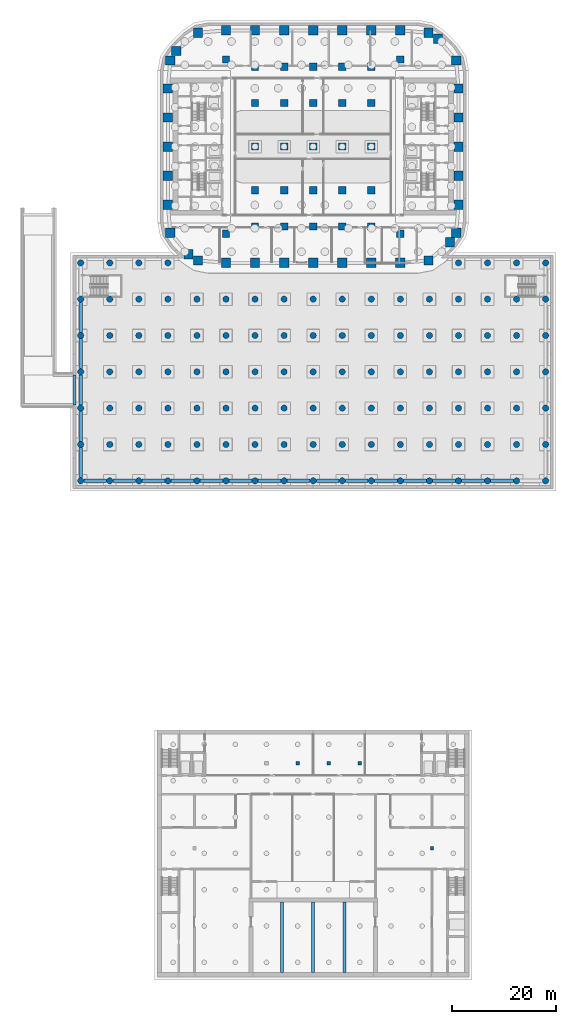
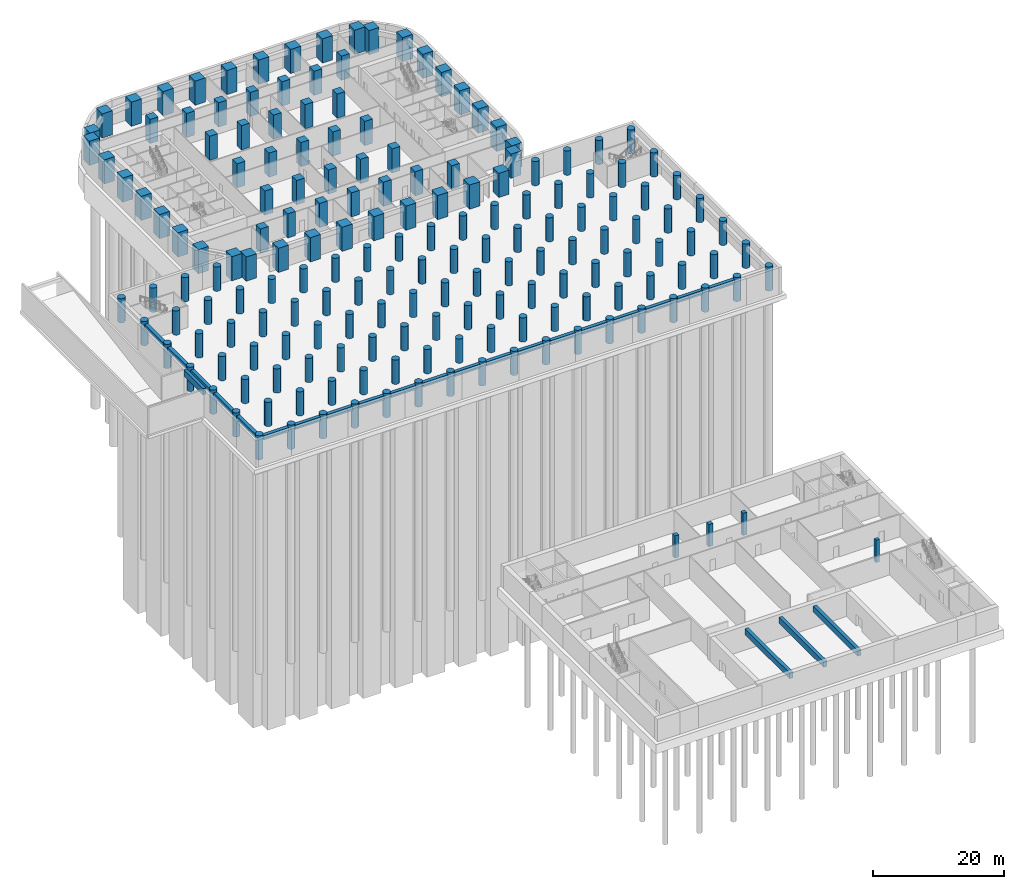
# One storey, part 3 of 23: 179 columns, 24 beams.
"""IFC4 building model written with IfcOpenShell, lengths in metres."""

from ifc_helpers import new_model, si_unit, direction, frame, origin, origin_2d, place, context, subcontext, project, spatial, rectangle, circle, extrude, material, material_profile, profile_set, type_object, element, save


model = new_model("IFC4")

# Units and contexts
model_context = context("Model", 3, precision=1e-05, world=origin(), true_north=direction((0.0, 1.0)))
body_context = subcontext(model_context, "Body", "Model", "MODEL_VIEW")
ifc_project = project(units=[si_unit("LENGTHUNIT", "METRE"), si_unit("AREAUNIT", "SQUARE_METRE"), si_unit("VOLUMEUNIT", "CUBIC_METRE"), si_unit("PLANEANGLEUNIT", "RADIAN"), si_unit("MASSUNIT", "GRAM", prefix="KILO")], contexts=[model_context])

# Site, building, storey
site_placement = place(None, origin())
site = spatial("IfcSite", under=ifc_project, at=site_placement, CompositionType="ELEMENT")
building_placement = place(site_placement, origin())
building = spatial("IfcBuilding", under=site, at=building_placement, Name="Kiln Ring Residences", CompositionType="ELEMENT")
storey_placement = place(building_placement, frame((0.0, 0.0, -4.5)))
storey = spatial("IfcBuildingStorey", under=building, at=storey_placement, Name="B1", CompositionType="ELEMENT", Elevation=-4.5)

# Columns
ifc_material_1 = material(Name="Concrete C80/95", Category="concrete")
ifc_material_profile_1 = material_profile(ifc_material_1, rectangle(XDim=1.39990234375, YDim=1.39990234375, at=origin_2d()), Name="RC1400x1400")
ifc_profile_set_1 = profile_set([ifc_material_profile_1], Name="Concrete C80/95")
column_type_1 = type_object("IfcColumnType", Name="Corridor column RC1400x1400 C80/95", PredefinedType="COLUMN", material=ifc_profile_set_1)
for number, where, z_axis, x_axis, name in (
    (1, (-11.199951171875, 15.39990234375, 0.0), (0.0, 0.0, 1.0), (1.0, 0.0, 0.0), "Corridor column B1 1"),
    (2, (-5.60009765625, 15.39990234375, 0.0), (0.0, 0.0, 1.0), (1.0, 0.0, 0.0), "Corridor column B1 2"),
    (3, (0.0, 15.39990234375, 0.0), (0.0, 0.0, 1.0), (1.0, 0.0, 0.0), "Corridor column B1 3"),
    (4, (5.60009765625, 15.39990234375, 0.0), (0.0, 0.0, 1.0), (1.0, 0.0, 0.0), "Corridor column B1 4"),
    (5, (11.199951171875, 15.39990234375, 0.0), (0.0, 0.0, 1.0), (1.0, 0.0, 0.0), "Corridor column B1 5"),
    (6, (-11.199951171875, -15.39990234375, 0.0), (0.0, 0.0, 1.0), (1.0, 0.0, 0.0), "Corridor column B1 6"),
    (7, (-5.60009765625, -15.39990234375, 0.0), (0.0, 0.0, 1.0), (1.0, 0.0, 0.0), "Corridor column B1 7"),
    (8, (0.0, -15.39990234375, 0.0), (0.0, 0.0, 1.0), (1.0, 0.0, 0.0), "Corridor column B1 8"),
    (9, (5.60009765625, -15.39990234375, 0.0), (0.0, 0.0, 1.0), (1.0, 0.0, 0.0), "Corridor column B1 9"),
    (10, (11.199951171875, -15.39990234375, 0.0), (0.0, 0.0, 1.0), (1.0, 0.0, 0.0), "Corridor column B1 10"),
):
    element("IfcColumn", number, at=place(storey_placement, frame(where, z_axis=z_axis, x_axis=x_axis)), inside=storey, type_object=column_type_1, Name=name, PredefinedType="COLUMN", context=body_context, shape_type="SweptSolid", body=[
        extrude(rectangle(XDim=1.39990234375, YDim=1.39990234375, at=origin_2d()), origin(), (0.0, 0.0, 1.0), 4.5),
    ])
ifc_material_2 = material(Name="Concrete C40/50", Category="concrete")
ifc_material_profile_2 = material_profile(ifc_material_2, rectangle(XDim=0.60009765625, YDim=0.60009765625, at=origin_2d()), Name="Hall reinforced concrete column 600 x 600")
ifc_profile_set_2 = profile_set([ifc_material_profile_2], Name="Concrete C40/50")
column_type_2 = type_object("IfcColumnType", Name="Hall reinforced concrete column 600 x 600", PredefinedType="COLUMN", material=ifc_profile_set_2)
column_placement = place(storey_placement, frame((22.89990234375, -135.199951171875, 0.0), z_axis=(0.0, 0.0, 1.0), x_axis=(1.0, 0.0, 0.0)))
element("IfcColumn", 11, at=column_placement, inside=storey, type_object=column_type_2, Name="Hall column B1 6", PredefinedType="COLUMN", context=body_context, shape_type="SweptSolid", body=[
    extrude(rectangle(XDim=0.60009765625, YDim=0.60009765625, at=origin_2d()), origin(), (0.0, 0.0, 1.0), 4.14990234375),
])
ifc_material_3 = material(Name="Concrete C40/50", Category="concrete")
ifc_material_profile_3 = material_profile(ifc_material_3, rectangle(XDim=0.699951171875, YDim=0.699951171875, at=origin_2d()), Name="Hall reinforced concrete column 700 x 700")
ifc_profile_set_3 = profile_set([ifc_material_profile_3], Name="Concrete C40/50")
column_type_3 = type_object("IfcColumnType", Name="Hall reinforced concrete column 700 x 700", PredefinedType="COLUMN", material=ifc_profile_set_3)
for number, where, z_axis, x_axis, name in (
    (12, (-3.0, -118.800048828125, 0.0), (0.0, 0.0, 1.0), (1.0, 0.0, 0.0), "Hall column B1 2"),
    (13, (3.0, -118.800048828125, 0.0), (0.0, 0.0, 1.0), (1.0, 0.0, 0.0), "Hall column B1 3"),
    (14, (9.0, -118.800048828125, 0.0), (0.0, 0.0, 1.0), (1.0, 0.0, 0.0), "Hall column B1 4"),
):
    element("IfcColumn", number, at=place(storey_placement, frame(where, z_axis=z_axis, x_axis=x_axis)), inside=storey, type_object=column_type_3, Name=name, PredefinedType="COLUMN", context=body_context, shape_type="SweptSolid", body=[
        extrude(rectangle(XDim=0.699951171875, YDim=0.699951171875, at=origin_2d()), origin(), (0.0, 0.0, 1.0), 4.14990234375),
    ])
ifc_material_4 = material(Name="Concrete C80/95", Category="concrete")
ifc_material_profile_4 = material_profile(ifc_material_4, rectangle(XDim=1.800048828125, YDim=1.800048828125, at=origin_2d()), Name="RC1800x1800")
ifc_profile_set_4 = profile_set([ifc_material_profile_4], Name="Concrete C80/95")
column_type_4 = type_object("IfcColumnType", Name="Perimeter column RC1800x1800 C80/95", PredefinedType="COLUMN", material=ifc_profile_set_4)
for number, where, z_axis, x_axis, name in (
    (15, (-22.208740234375, -21.93798828125, 0.0), (0.0, 0.0, 1.0), (1.0, 0.0, 0.0), "Perimeter column B1 1"),
    (16, (-16.800048828125, -22.39990234375, 0.0), (0.0, 0.0, 1.0), (1.0, 0.0, 0.0), "Perimeter column B1 2"),
    (17, (-11.199951171875, -22.39990234375, 0.0), (0.0, 0.0, 1.0), (1.0, 0.0, 0.0), "Perimeter column B1 3"),
    (18, (-5.60009765625, -22.39990234375, 0.0), (0.0, 0.0, 1.0), (1.0, 0.0, 0.0), "Perimeter column B1 4"),
    (19, (0.0, -22.39990234375, 0.0), (0.0, 0.0, 1.0), (1.0, 0.0, 0.0), "Perimeter column B1 5"),
    (20, (5.60009765625, -22.39990234375, 0.0), (0.0, 0.0, 1.0), (1.0, 0.0, 0.0), "Perimeter column B1 6"),
    (21, (11.199951171875, -22.39990234375, 0.0), (0.0, 0.0, 1.0), (1.0, 0.0, 0.0), "Perimeter column B1 7"),
    (22, (16.800048828125, -22.39990234375, 0.0), (0.0, 0.0, 1.0), (1.0, 0.0, 0.0), "Perimeter column B1 8"),
    (23, (22.208740234375, -21.93798828125, 0.0), (0.0, 0.0, 1.0), (1.0, 0.0, 0.0), "Perimeter column B1 9"),
    (24, (26.35986328125, -18.440185546875, 0.0), (0.0, 0.0, 1.0), (1.0, 0.0, 0.0), "Perimeter column B1 10"),
    (25, (27.5380859375, -16.608642578125, 0.0), (0.0, 0.0, 1.0), (1.0, 0.0, 0.0), "Perimeter column B1 11"),
    (26, (28.0, -11.199951171875, 0.0), (0.0, 0.0, 1.0), (1.0, 0.0, 0.0), "Perimeter column B1 12"),
    (27, (28.0, -5.60009765625, 0.0), (0.0, 0.0, 1.0), (1.0, 0.0, 0.0), "Perimeter column B1 13"),
    (28, (28.0, 0.0, 0.0), (0.0, 0.0, 1.0), (1.0, 0.0, 0.0), "Perimeter column B1 14"),
    (29, (28.0, 5.60009765625, 0.0), (0.0, 0.0, 1.0), (1.0, 0.0, 0.0), "Perimeter column B1 15"),
    (30, (28.0, 11.199951171875, 0.0), (0.0, 0.0, 1.0), (1.0, 0.0, 0.0), "Perimeter column B1 16"),
    (31, (27.5380859375, 16.608642578125, 0.0), (0.0, 0.0, 1.0), (1.0, 0.0, 0.0), "Perimeter column B1 17"),
    (32, (24.040283203125, 20.759765625, 0.0), (0.0, 0.0, 1.0), (1.0, 0.0, 0.0), "Perimeter column B1 18"),
    (33, (22.208740234375, 21.93798828125, 0.0), (0.0, 0.0, 1.0), (1.0, 0.0, 0.0), "Perimeter column B1 19"),
    (34, (16.800048828125, 22.39990234375, 0.0), (0.0, 0.0, 1.0), (1.0, 0.0, 0.0), "Perimeter column B1 20"),
    (35, (11.199951171875, 22.39990234375, 0.0), (0.0, 0.0, 1.0), (1.0, 0.0, 0.0), "Perimeter column B1 21"),
    (36, (5.60009765625, 22.39990234375, 0.0), (0.0, 0.0, 1.0), (1.0, 0.0, 0.0), "Perimeter column B1 22"),
    (37, (0.0, 22.39990234375, 0.0), (0.0, 0.0, 1.0), (1.0, 0.0, 0.0), "Perimeter column B1 23"),
    (38, (-5.60009765625, 22.39990234375, 0.0), (0.0, 0.0, 1.0), (1.0, 0.0, 0.0), "Perimeter column B1 24"),
    (39, (-11.199951171875, 22.39990234375, 0.0), (0.0, 0.0, 1.0), (1.0, 0.0, 0.0), "Perimeter column B1 25"),
    (40, (-16.800048828125, 22.39990234375, 0.0), (0.0, 0.0, 1.0), (1.0, 0.0, 0.0), "Perimeter column B1 26"),
    (41, (-22.208740234375, 21.93798828125, 0.0), (0.0, 0.0, 1.0), (1.0, 0.0, 0.0), "Perimeter column B1 27"),
    (42, (-26.35986328125, 18.440185546875, 0.0), (0.0, 0.0, 1.0), (1.0, 0.0, 0.0), "Perimeter column B1 28"),
    (43, (-27.5380859375, 16.608642578125, 0.0), (0.0, 0.0, 1.0), (1.0, 0.0, 0.0), "Perimeter column B1 29"),
    (44, (-28.0, 11.199951171875, 0.0), (0.0, 0.0, 1.0), (1.0, 0.0, 0.0), "Perimeter column B1 30"),
    (45, (-28.0, 5.60009765625, 0.0), (0.0, 0.0, 1.0), (1.0, 0.0, 0.0), "Perimeter column B1 31"),
    (46, (-28.0, 0.0, 0.0), (0.0, 0.0, 1.0), (1.0, 0.0, 0.0), "Perimeter column B1 32"),
    (47, (-28.0, -5.60009765625, 0.0), (0.0, 0.0, 1.0), (1.0, 0.0, 0.0), "Perimeter column B1 33"),
    (48, (-28.0, -11.199951171875, 0.0), (0.0, 0.0, 1.0), (1.0, 0.0, 0.0), "Perimeter column B1 34"),
    (49, (-27.5380859375, -16.608642578125, 0.0), (0.0, 0.0, 1.0), (1.0, 0.0, 0.0), "Perimeter column B1 35"),
    (50, (-24.040283203125, -20.759765625, 0.0), (0.0, 0.0, 1.0), (1.0, 0.0, 0.0), "Perimeter column B1 36"),
):
    element("IfcColumn", number, at=place(storey_placement, frame(where, z_axis=z_axis, x_axis=x_axis)), inside=storey, type_object=column_type_4, Name=name, PredefinedType="COLUMN", context=body_context, shape_type="SweptSolid", body=[
        extrude(rectangle(XDim=1.800048828125, YDim=1.800048828125, at=origin_2d()), origin(), (0.0, 0.0, 1.0), 4.5),
    ])
ifc_material_5 = material(Name="Concrete C80/95", Category="concrete")
ifc_material_profile_5 = material_profile(ifc_material_5, circle(Radius=0.60009765625, at=origin_2d()), Name="RCD1200")
ifc_profile_set_5 = profile_set([ifc_material_profile_5], Name="Concrete C80/95")
column_type_5 = type_object("IfcColumnType", Name="Podium column RCD1200 C80/95", PredefinedType="COLUMN", material=ifc_profile_set_5)
for number, where, z_axis, x_axis, name in (
    (51, (-44.800048828125, -29.39990234375, 0.0), (0.0, 0.0, 1.0), (1.0, 0.0, 0.0), "Podium column B1 1"),
    (52, (-39.199951171875, -29.39990234375, 0.0), (0.0, 0.0, 1.0), (1.0, 0.0, 0.0), "Podium column B1 2"),
    (53, (-33.60009765625, -29.39990234375, 0.0), (0.0, 0.0, 1.0), (1.0, 0.0, 0.0), "Podium column B1 3"),
    (54, (-28.0, -29.39990234375, 0.0), (0.0, 0.0, 1.0), (1.0, 0.0, 0.0), "Podium column B1 4"),
    (55, (-22.39990234375, -29.39990234375, 0.0), (0.0, 0.0, 1.0), (1.0, 0.0, 0.0), "Podium column B1 5"),
    (56, (-16.800048828125, -29.39990234375, 0.0), (0.0, 0.0, 1.0), (1.0, 0.0, 0.0), "Podium column B1 6"),
    (57, (-11.199951171875, -29.39990234375, 0.0), (0.0, 0.0, 1.0), (1.0, 0.0, 0.0), "Podium column B1 7"),
    (58, (-5.60009765625, -29.39990234375, 0.0), (0.0, 0.0, 1.0), (1.0, 0.0, 0.0), "Podium column B1 8"),
    (59, (0.0, -29.39990234375, 0.0), (0.0, 0.0, 1.0), (1.0, 0.0, 0.0), "Podium column B1 9"),
    (60, (5.60009765625, -29.39990234375, 0.0), (0.0, 0.0, 1.0), (1.0, 0.0, 0.0), "Podium column B1 10"),
    (61, (11.199951171875, -29.39990234375, 0.0), (0.0, 0.0, 1.0), (1.0, 0.0, 0.0), "Podium column B1 11"),
    (62, (16.800048828125, -29.39990234375, 0.0), (0.0, 0.0, 1.0), (1.0, 0.0, 0.0), "Podium column B1 12"),
    (63, (22.39990234375, -29.39990234375, 0.0), (0.0, 0.0, 1.0), (1.0, 0.0, 0.0), "Podium column B1 13"),
    (64, (28.0, -29.39990234375, 0.0), (0.0, 0.0, 1.0), (1.0, 0.0, 0.0), "Podium column B1 14"),
    (65, (33.60009765625, -29.39990234375, 0.0), (0.0, 0.0, 1.0), (1.0, 0.0, 0.0), "Podium column B1 15"),
    (66, (39.199951171875, -29.39990234375, 0.0), (0.0, 0.0, 1.0), (1.0, 0.0, 0.0), "Podium column B1 16"),
    (67, (44.800048828125, -29.39990234375, 0.0), (0.0, 0.0, 1.0), (1.0, 0.0, 0.0), "Podium column B1 17"),
    (68, (-44.800048828125, -36.39990234375, 0.0), (0.0, 0.0, 1.0), (1.0, 0.0, 0.0), "Podium column B1 18"),
    (69, (-39.199951171875, -36.39990234375, 0.0), (0.0, 0.0, 1.0), (1.0, 0.0, 0.0), "Podium column B1 19"),
    (70, (-33.60009765625, -36.39990234375, 0.0), (0.0, 0.0, 1.0), (1.0, 0.0, 0.0), "Podium column B1 20"),
    (71, (-28.0, -36.39990234375, 0.0), (0.0, 0.0, 1.0), (1.0, 0.0, 0.0), "Podium column B1 21"),
    (72, (-22.39990234375, -36.39990234375, 0.0), (0.0, 0.0, 1.0), (1.0, 0.0, 0.0), "Podium column B1 22"),
    (73, (-16.800048828125, -36.39990234375, 0.0), (0.0, 0.0, 1.0), (1.0, 0.0, 0.0), "Podium column B1 23"),
    (74, (-11.199951171875, -36.39990234375, 0.0), (0.0, 0.0, 1.0), (1.0, 0.0, 0.0), "Podium column B1 24"),
    (75, (-5.60009765625, -36.39990234375, 0.0), (0.0, 0.0, 1.0), (1.0, 0.0, 0.0), "Podium column B1 25"),
    (76, (0.0, -36.39990234375, 0.0), (0.0, 0.0, 1.0), (1.0, 0.0, 0.0), "Podium column B1 26"),
    (77, (5.60009765625, -36.39990234375, 0.0), (0.0, 0.0, 1.0), (1.0, 0.0, 0.0), "Podium column B1 27"),
    (78, (11.199951171875, -36.39990234375, 0.0), (0.0, 0.0, 1.0), (1.0, 0.0, 0.0), "Podium column B1 28"),
    (79, (16.800048828125, -36.39990234375, 0.0), (0.0, 0.0, 1.0), (1.0, 0.0, 0.0), "Podium column B1 29"),
    (80, (22.39990234375, -36.39990234375, 0.0), (0.0, 0.0, 1.0), (1.0, 0.0, 0.0), "Podium column B1 30"),
    (81, (28.0, -36.39990234375, 0.0), (0.0, 0.0, 1.0), (1.0, 0.0, 0.0), "Podium column B1 31"),
    (82, (33.60009765625, -36.39990234375, 0.0), (0.0, 0.0, 1.0), (1.0, 0.0, 0.0), "Podium column B1 32"),
    (83, (39.199951171875, -36.39990234375, 0.0), (0.0, 0.0, 1.0), (1.0, 0.0, 0.0), "Podium column B1 33"),
    (84, (44.800048828125, -36.39990234375, 0.0), (0.0, 0.0, 1.0), (1.0, 0.0, 0.0), "Podium column B1 34"),
    (85, (-44.800048828125, -43.39990234375, 0.0), (0.0, 0.0, 1.0), (1.0, 0.0, 0.0), "Podium column B1 35"),
    (86, (-39.199951171875, -43.39990234375, 0.0), (0.0, 0.0, 1.0), (1.0, 0.0, 0.0), "Podium column B1 36"),
    (87, (-33.60009765625, -43.39990234375, 0.0), (0.0, 0.0, 1.0), (1.0, 0.0, 0.0), "Podium column B1 37"),
    (88, (-28.0, -43.39990234375, 0.0), (0.0, 0.0, 1.0), (1.0, 0.0, 0.0), "Podium column B1 38"),
    (89, (-22.39990234375, -43.39990234375, 0.0), (0.0, 0.0, 1.0), (1.0, 0.0, 0.0), "Podium column B1 39"),
    (90, (-16.800048828125, -43.39990234375, 0.0), (0.0, 0.0, 1.0), (1.0, 0.0, 0.0), "Podium column B1 40"),
    (91, (-11.199951171875, -43.39990234375, 0.0), (0.0, 0.0, 1.0), (1.0, 0.0, 0.0), "Podium column B1 41"),
    (92, (-5.60009765625, -43.39990234375, 0.0), (0.0, 0.0, 1.0), (1.0, 0.0, 0.0), "Podium column B1 42"),
    (93, (0.0, -43.39990234375, 0.0), (0.0, 0.0, 1.0), (1.0, 0.0, 0.0), "Podium column B1 43"),
    (94, (5.60009765625, -43.39990234375, 0.0), (0.0, 0.0, 1.0), (1.0, 0.0, 0.0), "Podium column B1 44"),
    (95, (11.199951171875, -43.39990234375, 0.0), (0.0, 0.0, 1.0), (1.0, 0.0, 0.0), "Podium column B1 45"),
    (96, (16.800048828125, -43.39990234375, 0.0), (0.0, 0.0, 1.0), (1.0, 0.0, 0.0), "Podium column B1 46"),
    (97, (22.39990234375, -43.39990234375, 0.0), (0.0, 0.0, 1.0), (1.0, 0.0, 0.0), "Podium column B1 47"),
    (98, (28.0, -43.39990234375, 0.0), (0.0, 0.0, 1.0), (1.0, 0.0, 0.0), "Podium column B1 48"),
    (99, (33.60009765625, -43.39990234375, 0.0), (0.0, 0.0, 1.0), (1.0, 0.0, 0.0), "Podium column B1 49"),
    (100, (39.199951171875, -43.39990234375, 0.0), (0.0, 0.0, 1.0), (1.0, 0.0, 0.0), "Podium column B1 50"),
    (101, (44.800048828125, -43.39990234375, 0.0), (0.0, 0.0, 1.0), (1.0, 0.0, 0.0), "Podium column B1 51"),
    (102, (-44.800048828125, -50.39990234375, 0.0), (0.0, 0.0, 1.0), (1.0, 0.0, 0.0), "Podium column B1 52"),
    (103, (-39.199951171875, -50.39990234375, 0.0), (0.0, 0.0, 1.0), (1.0, 0.0, 0.0), "Podium column B1 53"),
    (104, (-33.60009765625, -50.39990234375, 0.0), (0.0, 0.0, 1.0), (1.0, 0.0, 0.0), "Podium column B1 54"),
    (105, (-28.0, -50.39990234375, 0.0), (0.0, 0.0, 1.0), (1.0, 0.0, 0.0), "Podium column B1 55"),
    (106, (-22.39990234375, -50.39990234375, 0.0), (0.0, 0.0, 1.0), (1.0, 0.0, 0.0), "Podium column B1 56"),
    (107, (-16.800048828125, -50.39990234375, 0.0), (0.0, 0.0, 1.0), (1.0, 0.0, 0.0), "Podium column B1 57"),
    (108, (-11.199951171875, -50.39990234375, 0.0), (0.0, 0.0, 1.0), (1.0, 0.0, 0.0), "Podium column B1 58"),
    (109, (-5.60009765625, -50.39990234375, 0.0), (0.0, 0.0, 1.0), (1.0, 0.0, 0.0), "Podium column B1 59"),
    (110, (0.0, -50.39990234375, 0.0), (0.0, 0.0, 1.0), (1.0, 0.0, 0.0), "Podium column B1 60"),
    (111, (5.60009765625, -50.39990234375, 0.0), (0.0, 0.0, 1.0), (1.0, 0.0, 0.0), "Podium column B1 61"),
    (112, (11.199951171875, -50.39990234375, 0.0), (0.0, 0.0, 1.0), (1.0, 0.0, 0.0), "Podium column B1 62"),
    (113, (16.800048828125, -50.39990234375, 0.0), (0.0, 0.0, 1.0), (1.0, 0.0, 0.0), "Podium column B1 63"),
    (114, (22.39990234375, -50.39990234375, 0.0), (0.0, 0.0, 1.0), (1.0, 0.0, 0.0), "Podium column B1 64"),
    (115, (28.0, -50.39990234375, 0.0), (0.0, 0.0, 1.0), (1.0, 0.0, 0.0), "Podium column B1 65"),
    (116, (33.60009765625, -50.39990234375, 0.0), (0.0, 0.0, 1.0), (1.0, 0.0, 0.0), "Podium column B1 66"),
    (117, (39.199951171875, -50.39990234375, 0.0), (0.0, 0.0, 1.0), (1.0, 0.0, 0.0), "Podium column B1 67"),
    (118, (44.800048828125, -50.39990234375, 0.0), (0.0, 0.0, 1.0), (1.0, 0.0, 0.0), "Podium column B1 68"),
    (119, (-44.800048828125, -57.39990234375, 0.0), (0.0, 0.0, 1.0), (1.0, 0.0, 0.0), "Podium column B1 69"),
    (120, (-39.199951171875, -57.39990234375, 0.0), (0.0, 0.0, 1.0), (1.0, 0.0, 0.0), "Podium column B1 70"),
    (121, (-33.60009765625, -57.39990234375, 0.0), (0.0, 0.0, 1.0), (1.0, 0.0, 0.0), "Podium column B1 71"),
    (122, (-28.0, -57.39990234375, 0.0), (0.0, 0.0, 1.0), (1.0, 0.0, 0.0), "Podium column B1 72"),
    (123, (-22.39990234375, -57.39990234375, 0.0), (0.0, 0.0, 1.0), (1.0, 0.0, 0.0), "Podium column B1 73"),
    (124, (-16.800048828125, -57.39990234375, 0.0), (0.0, 0.0, 1.0), (1.0, 0.0, 0.0), "Podium column B1 74"),
    (125, (-11.199951171875, -57.39990234375, 0.0), (0.0, 0.0, 1.0), (1.0, 0.0, 0.0), "Podium column B1 75"),
    (126, (-5.60009765625, -57.39990234375, 0.0), (0.0, 0.0, 1.0), (1.0, 0.0, 0.0), "Podium column B1 76"),
    (127, (0.0, -57.39990234375, 0.0), (0.0, 0.0, 1.0), (1.0, 0.0, 0.0), "Podium column B1 77"),
    (128, (5.60009765625, -57.39990234375, 0.0), (0.0, 0.0, 1.0), (1.0, 0.0, 0.0), "Podium column B1 78"),
    (129, (11.199951171875, -57.39990234375, 0.0), (0.0, 0.0, 1.0), (1.0, 0.0, 0.0), "Podium column B1 79"),
    (130, (16.800048828125, -57.39990234375, 0.0), (0.0, 0.0, 1.0), (1.0, 0.0, 0.0), "Podium column B1 80"),
    (131, (22.39990234375, -57.39990234375, 0.0), (0.0, 0.0, 1.0), (1.0, 0.0, 0.0), "Podium column B1 81"),
    (132, (28.0, -57.39990234375, 0.0), (0.0, 0.0, 1.0), (1.0, 0.0, 0.0), "Podium column B1 82"),
    (133, (33.60009765625, -57.39990234375, 0.0), (0.0, 0.0, 1.0), (1.0, 0.0, 0.0), "Podium column B1 83"),
    (134, (39.199951171875, -57.39990234375, 0.0), (0.0, 0.0, 1.0), (1.0, 0.0, 0.0), "Podium column B1 84"),
    (135, (44.800048828125, -57.39990234375, 0.0), (0.0, 0.0, 1.0), (1.0, 0.0, 0.0), "Podium column B1 85"),
    (136, (-44.800048828125, -64.39990234375, 0.0), (0.0, 0.0, 1.0), (1.0, 0.0, 0.0), "Podium column B1 86"),
    (137, (-39.199951171875, -64.39990234375, 0.0), (0.0, 0.0, 1.0), (1.0, 0.0, 0.0), "Podium column B1 87"),
    (138, (-33.60009765625, -64.39990234375, 0.0), (0.0, 0.0, 1.0), (1.0, 0.0, 0.0), "Podium column B1 88"),
    (139, (-28.0, -64.39990234375, 0.0), (0.0, 0.0, 1.0), (1.0, 0.0, 0.0), "Podium column B1 89"),
    (140, (-22.39990234375, -64.39990234375, 0.0), (0.0, 0.0, 1.0), (1.0, 0.0, 0.0), "Podium column B1 90"),
    (141, (-16.800048828125, -64.39990234375, 0.0), (0.0, 0.0, 1.0), (1.0, 0.0, 0.0), "Podium column B1 91"),
    (142, (-11.199951171875, -64.39990234375, 0.0), (0.0, 0.0, 1.0), (1.0, 0.0, 0.0), "Podium column B1 92"),
    (143, (-5.60009765625, -64.39990234375, 0.0), (0.0, 0.0, 1.0), (1.0, 0.0, 0.0), "Podium column B1 93"),
    (144, (0.0, -64.39990234375, 0.0), (0.0, 0.0, 1.0), (1.0, 0.0, 0.0), "Podium column B1 94"),
    (145, (5.60009765625, -64.39990234375, 0.0), (0.0, 0.0, 1.0), (1.0, 0.0, 0.0), "Podium column B1 95"),
    (146, (11.199951171875, -64.39990234375, 0.0), (0.0, 0.0, 1.0), (1.0, 0.0, 0.0), "Podium column B1 96"),
    (147, (16.800048828125, -64.39990234375, 0.0), (0.0, 0.0, 1.0), (1.0, 0.0, 0.0), "Podium column B1 97"),
    (148, (22.39990234375, -64.39990234375, 0.0), (0.0, 0.0, 1.0), (1.0, 0.0, 0.0), "Podium column B1 98"),
    (149, (28.0, -64.39990234375, 0.0), (0.0, 0.0, 1.0), (1.0, 0.0, 0.0), "Podium column B1 99"),
    (150, (33.60009765625, -64.39990234375, 0.0), (0.0, 0.0, 1.0), (1.0, 0.0, 0.0), "Podium column B1 100"),
    (151, (39.199951171875, -64.39990234375, 0.0), (0.0, 0.0, 1.0), (1.0, 0.0, 0.0), "Podium column B1 101"),
    (152, (44.800048828125, -64.39990234375, 0.0), (0.0, 0.0, 1.0), (1.0, 0.0, 0.0), "Podium column B1 102"),
    (153, (-44.800048828125, -22.39990234375, 0.0), (0.0, 0.0, 1.0), (1.0, 0.0, 0.0), "Podium column B1 103"),
    (154, (-39.199951171875, -22.39990234375, 0.0), (0.0, 0.0, 1.0), (1.0, 0.0, 0.0), "Podium column B1 104"),
    (155, (-33.60009765625, -22.39990234375, 0.0), (0.0, 0.0, 1.0), (1.0, 0.0, 0.0), "Podium column B1 105"),
    (156, (-28.0, -22.39990234375, 0.0), (0.0, 0.0, 1.0), (1.0, 0.0, 0.0), "Podium column B1 106"),
    (157, (28.0, -22.39990234375, 0.0), (0.0, 0.0, 1.0), (1.0, 0.0, 0.0), "Podium column B1 107"),
    (158, (33.60009765625, -22.39990234375, 0.0), (0.0, 0.0, 1.0), (1.0, 0.0, 0.0), "Podium column B1 108"),
    (159, (39.199951171875, -22.39990234375, 0.0), (0.0, 0.0, 1.0), (1.0, 0.0, 0.0), "Podium column B1 109"),
    (160, (44.800048828125, -22.39990234375, 0.0), (0.0, 0.0, 1.0), (1.0, 0.0, 0.0), "Podium column B1 110"),
):
    element("IfcColumn", number, at=place(storey_placement, frame(where, z_axis=z_axis, x_axis=x_axis)), inside=storey, type_object=column_type_5, Name=name, PredefinedType="COLUMN", context=body_context, shape_type="SweptSolid", body=[
        extrude(circle(Radius=0.60009765625, at=origin_2d()), origin(), (0.0, 0.0, 1.0), 4.5),
    ])
ifc_material_6 = material(Name="Concrete C80/95", Category="concrete")
ifc_material_profile_6 = material_profile(ifc_material_6, rectangle(XDim=1.39990234375, YDim=1.39990234375, at=origin_2d()), Name="RC1400x1400")
ifc_profile_set_6 = profile_set([ifc_material_profile_6], Name="Concrete C80/95")
column_type_6 = type_object("IfcColumnType", Name="Ring column RC1400x1400 C80/95", PredefinedType="COLUMN", material=ifc_profile_set_6)
for number, where, z_axis, x_axis, name in (
    (161, (-16.800048828125, -16.800048828125, 0.0), (0.0, 0.0, 1.0), (1.0, 0.0, 0.0), "Ring column B1 1"),
    (162, (-16.800048828125, 16.800048828125, 0.0), (0.0, 0.0, 1.0), (1.0, 0.0, 0.0), "Ring column B1 2"),
    (163, (-11.199951171875, -8.39990234375, 0.0), (0.0, 0.0, 1.0), (1.0, 0.0, 0.0), "Ring column B1 3"),
    (164, (-11.199951171875, 8.39990234375, 0.0), (0.0, 0.0, 1.0), (1.0, 0.0, 0.0), "Ring column B1 4"),
    (165, (-5.60009765625, -8.39990234375, 0.0), (0.0, 0.0, 1.0), (1.0, 0.0, 0.0), "Ring column B1 5"),
    (166, (-5.60009765625, 8.39990234375, 0.0), (0.0, 0.0, 1.0), (1.0, 0.0, 0.0), "Ring column B1 6"),
    (167, (0.0, -8.39990234375, 0.0), (0.0, 0.0, 1.0), (1.0, 0.0, 0.0), "Ring column B1 7"),
    (168, (0.0, 8.39990234375, 0.0), (0.0, 0.0, 1.0), (1.0, 0.0, 0.0), "Ring column B1 8"),
    (169, (5.60009765625, -8.39990234375, 0.0), (0.0, 0.0, 1.0), (1.0, 0.0, 0.0), "Ring column B1 9"),
    (170, (5.60009765625, 8.39990234375, 0.0), (0.0, 0.0, 1.0), (1.0, 0.0, 0.0), "Ring column B1 10"),
    (171, (11.199951171875, -8.39990234375, 0.0), (0.0, 0.0, 1.0), (1.0, 0.0, 0.0), "Ring column B1 11"),
    (172, (11.199951171875, 8.39990234375, 0.0), (0.0, 0.0, 1.0), (1.0, 0.0, 0.0), "Ring column B1 12"),
    (173, (16.800048828125, -16.800048828125, 0.0), (0.0, 0.0, 1.0), (1.0, 0.0, 0.0), "Ring column B1 13"),
    (174, (16.800048828125, 16.800048828125, 0.0), (0.0, 0.0, 1.0), (1.0, 0.0, 0.0), "Ring column B1 14"),
    (175, (-11.199951171875, 0.0, 0.0), (0.0, 0.0, 1.0), (1.0, 0.0, 0.0), "Ring column B1 15"),
    (176, (-5.60009765625, 0.0, 0.0), (0.0, 0.0, 1.0), (1.0, 0.0, 0.0), "Ring column B1 16"),
    (177, (0.0, 0.0, 0.0), (0.0, 0.0, 1.0), (1.0, 0.0, 0.0), "Ring column B1 17"),
    (178, (5.60009765625, 0.0, 0.0), (0.0, 0.0, 1.0), (1.0, 0.0, 0.0), "Ring column B1 18"),
    (179, (11.199951171875, 0.0, 0.0), (0.0, 0.0, 1.0), (1.0, 0.0, 0.0), "Ring column B1 19"),
):
    element("IfcColumn", number, at=place(storey_placement, frame(where, z_axis=z_axis, x_axis=x_axis)), inside=storey, type_object=column_type_6, Name=name, PredefinedType="COLUMN", context=body_context, shape_type="SweptSolid", body=[
        extrude(rectangle(XDim=1.39990234375, YDim=1.39990234375, at=origin_2d()), origin(), (0.0, 0.0, 1.0), 4.5),
    ])

# Beams
ifc_material_7 = material(Name="Concrete C40/50", Category="concrete")
ifc_material_profile_7 = material_profile(ifc_material_7, rectangle(XDim=0.60009765625, YDim=1.10009765625, at=origin_2d()), Name="Hall stage girder 600 x 1100")
ifc_profile_set_7 = profile_set([ifc_material_profile_7], Name="Concrete C40/50")
beam_type_1 = type_object("IfcBeamType", Name="Hall stage girder 600 x 1100", PredefinedType="BEAM", material=ifc_profile_set_7)
for number, where, z_axis, x_axis, name in (
    (180, (-6.0, -159.199951171875, 3.449951171875), (0.0, 1.0, 0.0), (-1.0, 0.0, 0.0), "Hall stage girder 1"),
    (181, (0.0, -159.199951171875, 3.449951171875), (0.0, 1.0, 0.0), (-1.0, 0.0, 0.0), "Hall stage girder 2"),
    (182, (6.0, -159.199951171875, 3.449951171875), (0.0, 1.0, 0.0), (-1.0, 0.0, 0.0), "Hall stage girder 3"),
):
    element("IfcBeam", number, at=place(storey_placement, frame(where, z_axis=z_axis, x_axis=x_axis)), inside=storey, type_object=beam_type_1, Name=name, PredefinedType="BEAM", context=body_context, shape_type="SweptSolid", body=[
        extrude(rectangle(XDim=0.60009765625, YDim=1.10009765625, at=origin_2d()), origin(), (0.0, 0.0, 1.0), 13.599853515625),
    ])
ifc_material_8 = material(Name="Concrete C50/60", Category="concrete")
ifc_material_profile_8 = material_profile(ifc_material_8, rectangle(XDim=0.60009765625, YDim=0.800048828125, at=origin_2d()), Name="RC600x800")
ifc_profile_set_8 = profile_set([ifc_material_profile_8], Name="Concrete C50/60")
beam_type_2 = type_object("IfcBeamType", Name="Ring beam RC600x800 C50/60", PredefinedType="BEAM", material=ifc_profile_set_8)
beam_1_placement = place(storey_placement, frame((-44.199951171875, -64.39990234375, 3.64990234375), z_axis=(1.0, 0.0, 0.0), x_axis=(0.0, 1.0, 0.0)))
element("IfcBeam", 183, at=beam_1_placement, inside=storey, type_object=beam_type_2, Name="Ring beam B1 1", PredefinedType="BEAM", context=body_context, shape_type="SweptSolid", body=[
    extrude(rectangle(XDim=0.60009765625, YDim=0.800048828125, at=origin_2d()), origin(), (0.0, 0.0, 1.0), 4.39990234375),
])
beam_2_placement = place(storey_placement, frame((-38.60009765625, -64.39990234375, 3.64990234375), z_axis=(1.0, 0.0, 0.0), x_axis=(0.0, 1.0, 0.0)))
element("IfcBeam", 184, at=beam_2_placement, inside=storey, type_object=beam_type_2, Name="Ring beam B1 2", PredefinedType="BEAM", context=body_context, shape_type="SweptSolid", body=[
    extrude(rectangle(XDim=0.60009765625, YDim=0.800048828125, at=origin_2d()), origin(), (0.0, 0.0, 1.0), 4.400146484375),
])
for number, where, z_axis, x_axis, name in (
    (185, (-33.0, -64.39990234375, 3.64990234375), (1.0, 0.0, 0.0), (0.0, 1.0, 0.0), "Ring beam B1 3"),
    (186, (-27.39990234375, -64.39990234375, 3.64990234375), (1.0, 0.0, 0.0), (0.0, 1.0, 0.0), "Ring beam B1 4"),
):
    element("IfcBeam", number, at=place(storey_placement, frame(where, z_axis=z_axis, x_axis=x_axis)), inside=storey, type_object=beam_type_2, Name=name, PredefinedType="BEAM", context=body_context, shape_type="SweptSolid", body=[
        extrude(rectangle(XDim=0.60009765625, YDim=0.800048828125, at=origin_2d()), origin(), (0.0, 0.0, 1.0), 4.39990234375),
    ])
beam_3_placement = place(storey_placement, frame((-21.800048828125, -64.39990234375, 3.64990234375), z_axis=(1.0, 0.0, 0.0), x_axis=(0.0, 1.0, 0.0)))
element("IfcBeam", 187, at=beam_3_placement, inside=storey, type_object=beam_type_2, Name="Ring beam B1 5", PredefinedType="BEAM", context=body_context, shape_type="SweptSolid", body=[
    extrude(rectangle(XDim=0.60009765625, YDim=0.800048828125, at=origin_2d()), origin(), (0.0, 0.0, 1.0), 4.400146484375),
])
beam_4_placement = place(storey_placement, frame((-16.199951171875, -64.39990234375, 3.64990234375), z_axis=(1.0, 0.0, 0.0), x_axis=(0.0, 1.0, 0.0)))
element("IfcBeam", 188, at=beam_4_placement, inside=storey, type_object=beam_type_2, Name="Ring beam B1 6", PredefinedType="BEAM", context=body_context, shape_type="SweptSolid", body=[
    extrude(rectangle(XDim=0.60009765625, YDim=0.800048828125, at=origin_2d()), origin(), (0.0, 0.0, 1.0), 4.39990234375),
])
beam_5_placement = place(storey_placement, frame((-10.60009765625, -64.39990234375, 3.64990234375), z_axis=(1.0, 0.0, 0.0), x_axis=(0.0, 1.0, 0.0)))
element("IfcBeam", 189, at=beam_5_placement, inside=storey, type_object=beam_type_2, Name="Ring beam B1 7", PredefinedType="BEAM", context=body_context, shape_type="SweptSolid", body=[
    extrude(rectangle(XDim=0.60009765625, YDim=0.800048828125, at=origin_2d()), origin(), (0.0, 0.0, 1.0), 4.400146484375),
])
for number, where, z_axis, x_axis, name in (
    (190, (-5.0, -64.39990234375, 3.64990234375), (1.0, 0.0, 0.0), (0.0, 1.0, 0.0), "Ring beam B1 8"),
    (191, (0.60009765625, -64.39990234375, 3.64990234375), (1.0, 0.0, 0.0), (0.0, 1.0, 0.0), "Ring beam B1 9"),
):
    element("IfcBeam", number, at=place(storey_placement, frame(where, z_axis=z_axis, x_axis=x_axis)), inside=storey, type_object=beam_type_2, Name=name, PredefinedType="BEAM", context=body_context, shape_type="SweptSolid", body=[
        extrude(rectangle(XDim=0.60009765625, YDim=0.800048828125, at=origin_2d()), origin(), (0.0, 0.0, 1.0), 4.39990234375),
    ])
beam_6_placement = place(storey_placement, frame((6.199951171875, -64.39990234375, 3.64990234375), z_axis=(1.0, 0.0, 0.0), x_axis=(0.0, 1.0, 0.0)))
element("IfcBeam", 192, at=beam_6_placement, inside=storey, type_object=beam_type_2, Name="Ring beam B1 10", PredefinedType="BEAM", context=body_context, shape_type="SweptSolid", body=[
    extrude(rectangle(XDim=0.60009765625, YDim=0.800048828125, at=origin_2d()), origin(), (0.0, 0.0, 1.0), 4.400146484375),
])
beam_7_placement = place(storey_placement, frame((11.800048828125, -64.39990234375, 3.64990234375), z_axis=(1.0, 0.0, 0.0), x_axis=(0.0, 1.0, 0.0)))
element("IfcBeam", 193, at=beam_7_placement, inside=storey, type_object=beam_type_2, Name="Ring beam B1 11", PredefinedType="BEAM", context=body_context, shape_type="SweptSolid", body=[
    extrude(rectangle(XDim=0.60009765625, YDim=0.800048828125, at=origin_2d()), origin(), (0.0, 0.0, 1.0), 4.39990234375),
])
beam_8_placement = place(storey_placement, frame((17.39990234375, -64.39990234375, 3.64990234375), z_axis=(1.0, 0.0, 0.0), x_axis=(0.0, 1.0, 0.0)))
element("IfcBeam", 194, at=beam_8_placement, inside=storey, type_object=beam_type_2, Name="Ring beam B1 12", PredefinedType="BEAM", context=body_context, shape_type="SweptSolid", body=[
    extrude(rectangle(XDim=0.60009765625, YDim=0.800048828125, at=origin_2d()), origin(), (0.0, 0.0, 1.0), 4.400146484375),
])
for number, where, z_axis, x_axis, name in (
    (195, (23.0, -64.39990234375, 3.64990234375), (1.0, 0.0, 0.0), (0.0, 1.0, 0.0), "Ring beam B1 13"),
    (196, (28.60009765625, -64.39990234375, 3.64990234375), (1.0, 0.0, 0.0), (0.0, 1.0, 0.0), "Ring beam B1 14"),
):
    element("IfcBeam", number, at=place(storey_placement, frame(where, z_axis=z_axis, x_axis=x_axis)), inside=storey, type_object=beam_type_2, Name=name, PredefinedType="BEAM", context=body_context, shape_type="SweptSolid", body=[
        extrude(rectangle(XDim=0.60009765625, YDim=0.800048828125, at=origin_2d()), origin(), (0.0, 0.0, 1.0), 4.39990234375),
    ])
beam_9_placement = place(storey_placement, frame((34.199951171875, -64.39990234375, 3.64990234375), z_axis=(1.0, 0.0, 0.0), x_axis=(0.0, 1.0, 0.0)))
element("IfcBeam", 197, at=beam_9_placement, inside=storey, type_object=beam_type_2, Name="Ring beam B1 15", PredefinedType="BEAM", context=body_context, shape_type="SweptSolid", body=[
    extrude(rectangle(XDim=0.60009765625, YDim=0.800048828125, at=origin_2d()), origin(), (0.0, 0.0, 1.0), 4.400146484375),
])
for number, where, z_axis, x_axis, name in (
    (198, (-44.800048828125, -30.0, 3.64990234375), (0.0, -1.0, 0.0), (1.0, 0.0, 0.0), "Ring beam B1 18"),
    (199, (-44.800048828125, -37.0, 3.64990234375), (0.0, -1.0, 0.0), (1.0, 0.0, 0.0), "Ring beam B1 19"),
    (200, (-44.800048828125, -44.0, 3.64990234375), (0.0, -1.0, 0.0), (1.0, 0.0, 0.0), "Ring beam B1 20"),
    (201, (-44.800048828125, -51.0, 3.64990234375), (0.0, -1.0, 0.0), (1.0, 0.0, 0.0), "Ring beam B1 21"),
    (202, (-44.800048828125, -58.0, 3.64990234375), (0.0, -1.0, 0.0), (1.0, 0.0, 0.0), "Ring beam B1 22"),
):
    element("IfcBeam", number, at=place(storey_placement, frame(where, z_axis=z_axis, x_axis=x_axis)), inside=storey, type_object=beam_type_2, Name=name, PredefinedType="BEAM", context=body_context, shape_type="SweptSolid", body=[
        extrude(rectangle(XDim=0.60009765625, YDim=0.800048828125, at=origin_2d()), origin(), (0.0, 0.0, 1.0), 5.800048828125),
    ])
ifc_material_9 = material(Name="Concrete C50/60", Category="concrete")
ifc_material_profile_9 = material_profile(ifc_material_9, rectangle(XDim=0.5, YDim=1.199951171875, at=origin_2d()), Name="RC500x1200")
ifc_profile_set_9 = profile_set([ifc_material_profile_9], Name="Concrete C50/60")
beam_type_3 = type_object("IfcBeamType", Name="Wall lintel RC500x1200 C50/60", PredefinedType="BEAM", material=ifc_profile_set_9)
beam_10_placement = place(storey_placement, frame((-46.0, -49.800048828125, 3.89990234375), z_axis=(0.0, 1.0, 0.0), x_axis=(-1.0, 0.0, 0.0)))
element("IfcBeam", 203, at=beam_10_placement, inside=storey, type_object=beam_type_3, Name="Basement wall lintel over the ramp portal", PredefinedType="BEAM", context=body_context, shape_type="SweptSolid", body=[
    extrude(rectangle(XDim=0.5, YDim=1.199951171875, at=origin_2d()), origin(), (0.0, 0.0, 1.0), 5.800048828125),
])

save(model, "model.ifc")
